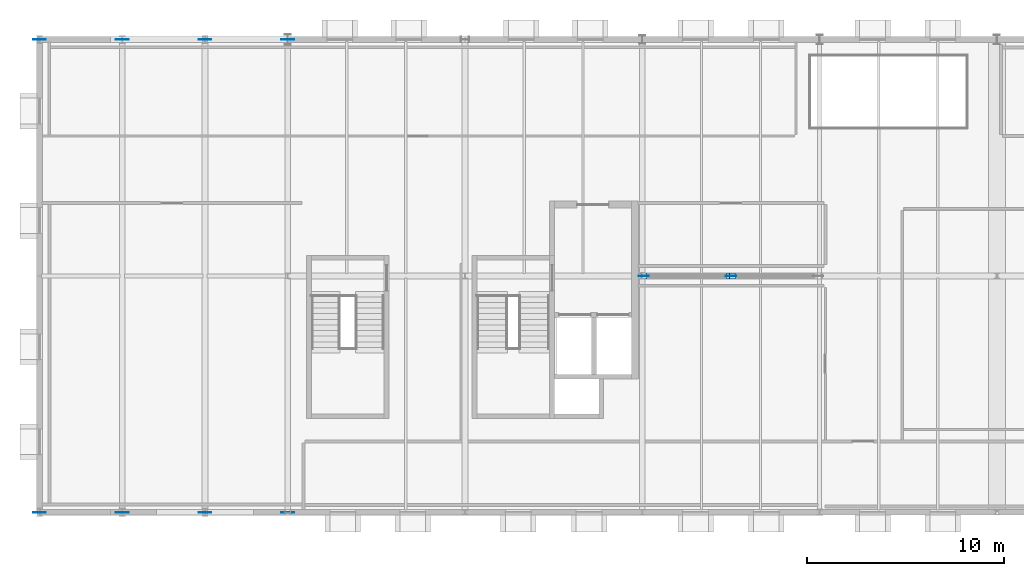
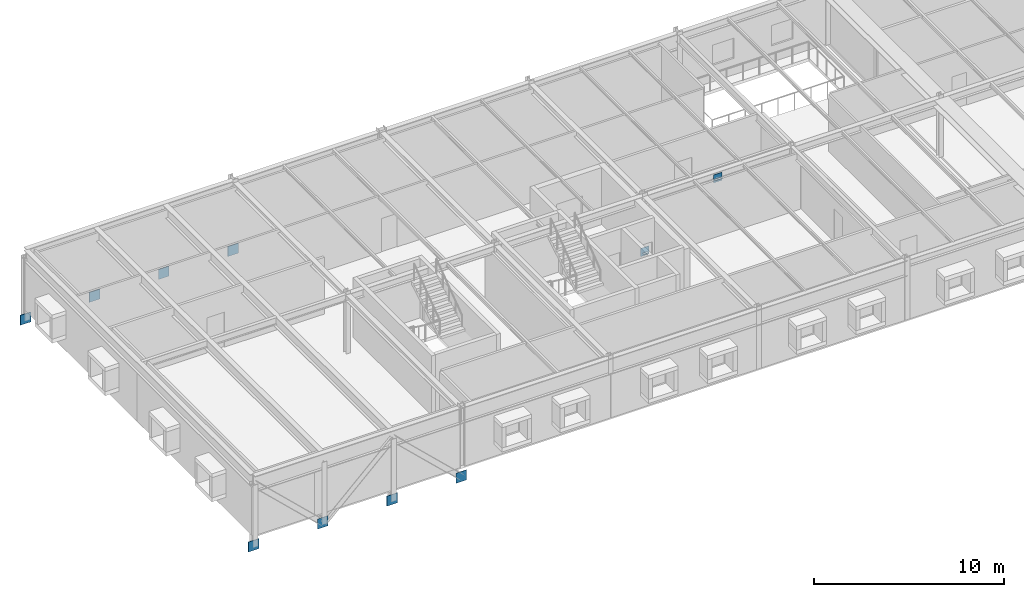
# One storey, part 8 of 17: 13 plates.
"""IFC4 building model written with IfcOpenShell, lengths in metres."""

from ifc_helpers import new_model, si_unit, direction, frame, origin, origin_2d, place, context, subcontext, project, spatial, rectangle, extrude, material, layer, layer_set, type_object, element, save


model = new_model("IFC4")

# Units and contexts
model_context = context("Model", 3, precision=1e-05, world=origin(), true_north=direction((0.0, 1.0)))
body_context = subcontext(model_context, "Body", "Model", "MODEL_VIEW")
ifc_project = project(units=[si_unit("LENGTHUNIT", "METRE"), si_unit("AREAUNIT", "SQUARE_METRE"), si_unit("VOLUMEUNIT", "CUBIC_METRE"), si_unit("PLANEANGLEUNIT", "RADIAN"), si_unit("MASSUNIT", "GRAM", prefix="KILO")], contexts=[model_context])

# Site, building, storey
site_placement = place(None, origin())
site = spatial("IfcSite", under=ifc_project, at=site_placement, CompositionType="ELEMENT")
building_placement = place(site_placement, origin())
building = spatial("IfcBuilding", under=site, at=building_placement, Name="Montelvaro Courts of Justice", CompositionType="ELEMENT")
storey_placement = place(building_placement, frame((0.0, 0.0, 31.39990234375)))
storey = spatial("IfcBuildingStorey", under=building, at=storey_placement, Name="L07", CompositionType="ELEMENT", Elevation=31.39990234375)

# Plates
ifc_material = material(Name="Steel S355", Category="steel")
ifc_layer_1 = layer(ifc_material, 0.011962890625)
ifc_layer_set_1 = layer_set([ifc_layer_1], Name="Steel S355")
plate_type_1 = type_object("IfcPlateType", Name="EndCapPlate_12", PredefinedType="USERDEFINED", material=ifc_layer_set_1)
for number, where, z_axis, x_axis, name in (
    (1, (63.080078125, 12.0, 0.07421875), (0.0, 0.0, 1.0), (1.0, 0.0, 0.0), "Brace End Cap Plate CP-01 CBF1-L07-1A"),
    (2, (67.419921875, 12.0, 3.2841796875), (0.0, 0.0, 1.0), (1.0, 0.0, 0.0), "Brace End Cap Plate CP-01 CBF1-L07-1B"),
    (3, (67.580078125, 12.0, 3.2841796875), (0.0, 0.0, 1.0), (1.0, 0.0, 0.0), "Brace End Cap Plate CP-01 CBF1-L07-2B"),
):
    element("IfcPlate", number, at=place(storey_placement, frame(where, z_axis=z_axis, x_axis=x_axis)), inside=storey, type_object=plate_type_1, Name=name, ObjectType="GUSSET PLATE", PredefinedType="USERDEFINED", context=body_context, shape_type="SweptSolid", body=[
        extrude(rectangle(XDim=0.300048828125, YDim=0.300048828125, at=origin_2d()), origin(), (0.0, 0.0, 1.0), 0.011962890625),
    ])
ifc_layer_2 = layer(ifc_material, 0.02001953125)
ifc_layer_set_2 = layer_set([ifc_layer_2], Name="Steel S355")
plate_type_2 = type_object("IfcPlateType", Name="GussetPlate_20", PredefinedType="USERDEFINED", material=ifc_layer_set_2)
for number, where, z_axis, x_axis, name in (
    (4, (63.080078125, 12.0, -0.099853515625), (0.0, 0.0, 1.0), (1.0, 0.0, 0.0), "Chevron Brace Base Gusset Plate GP-01 CBF1-L07-B1"),
    (5, (67.5, 12.0, 3.070068359375), (0.0, 0.0, 1.0), (1.0, 0.0, 0.0), "Chevron Brace Gusset Plate GP-01 CBF1-L07"),
):
    element("IfcPlate", number, at=place(storey_placement, frame(where, z_axis=z_axis, x_axis=x_axis)), inside=storey, type_object=plate_type_2, Name=name, ObjectType="GUSSET PLATE", PredefinedType="USERDEFINED", context=body_context, shape_type="SweptSolid", body=[
        extrude(rectangle(XDim=0.52001953125, YDim=0.02001953125, at=origin_2d()), origin(), (0.0, 0.0, 1.0), 0.52001953125),
    ])
ifc_layer_3 = layer(ifc_material, 0.028076171875)
ifc_layer_set_3 = layer_set([ifc_layer_3], Name="Steel S355")
plate_type_3 = type_object("IfcPlateType", Name="GussetPlate_28", PredefinedType="USERDEFINED", material=ifc_layer_set_3)
for number, where, z_axis, x_axis, name in (
    (6, (45.0, 0.0, -1.02392578125), (0.0, 0.0, 1.0), (1.0, 0.0, 0.0), "Pratt Truss Gusset Plate GP-02 CTR-BAR3-S-L07-0B"),
    (7, (40.800048828125, 0.0, -1.02392578125), (0.0, 0.0, 1.0), (1.0, 0.0, 0.0), "Pratt Truss Gusset Plate GP-02 CTR-BAR3-S-L07-1B"),
    (8, (36.60009765625, 0.0, -1.02392578125), (0.0, 0.0, 1.0), (1.0, 0.0, 0.0), "Pratt Truss Gusset Plate GP-02 CTR-BAR3-S-L07-2B"),
    (9, (32.39990234375, 0.0, -1.02392578125), (0.0, 0.0, 1.0), (1.0, 0.0, 0.0), "Pratt Truss Gusset Plate GP-02 CTR-BAR3-S-L07-3B"),
    (10, (45.0, 24.0, -1.02392578125), (0.0, 0.0, 1.0), (1.0, 0.0, 0.0), "Pratt Truss Gusset Plate GP-02 CTR-BAR3-N-L07-0B"),
    (11, (40.800048828125, 24.0, -1.02392578125), (0.0, 0.0, 1.0), (1.0, 0.0, 0.0), "Pratt Truss Gusset Plate GP-02 CTR-BAR3-N-L07-1B"),
    (12, (36.60009765625, 24.0, -1.02392578125), (0.0, 0.0, 1.0), (1.0, 0.0, 0.0), "Pratt Truss Gusset Plate GP-02 CTR-BAR3-N-L07-2B"),
    (13, (32.39990234375, 24.0, -1.02392578125), (0.0, 0.0, 1.0), (1.0, 0.0, 0.0), "Pratt Truss Gusset Plate GP-02 CTR-BAR3-N-L07-3B"),
):
    element("IfcPlate", number, at=place(storey_placement, frame(where, z_axis=z_axis, x_axis=x_axis)), inside=storey, type_object=plate_type_3, Name=name, ObjectType="GUSSET PLATE", PredefinedType="USERDEFINED", context=body_context, shape_type="SweptSolid", body=[
        extrude(rectangle(XDim=0.639892578125, YDim=0.028076171875, at=origin_2d()), origin(), (0.0, 0.0, 1.0), 0.639892578125),
    ])

save(model, "model.ifc")
